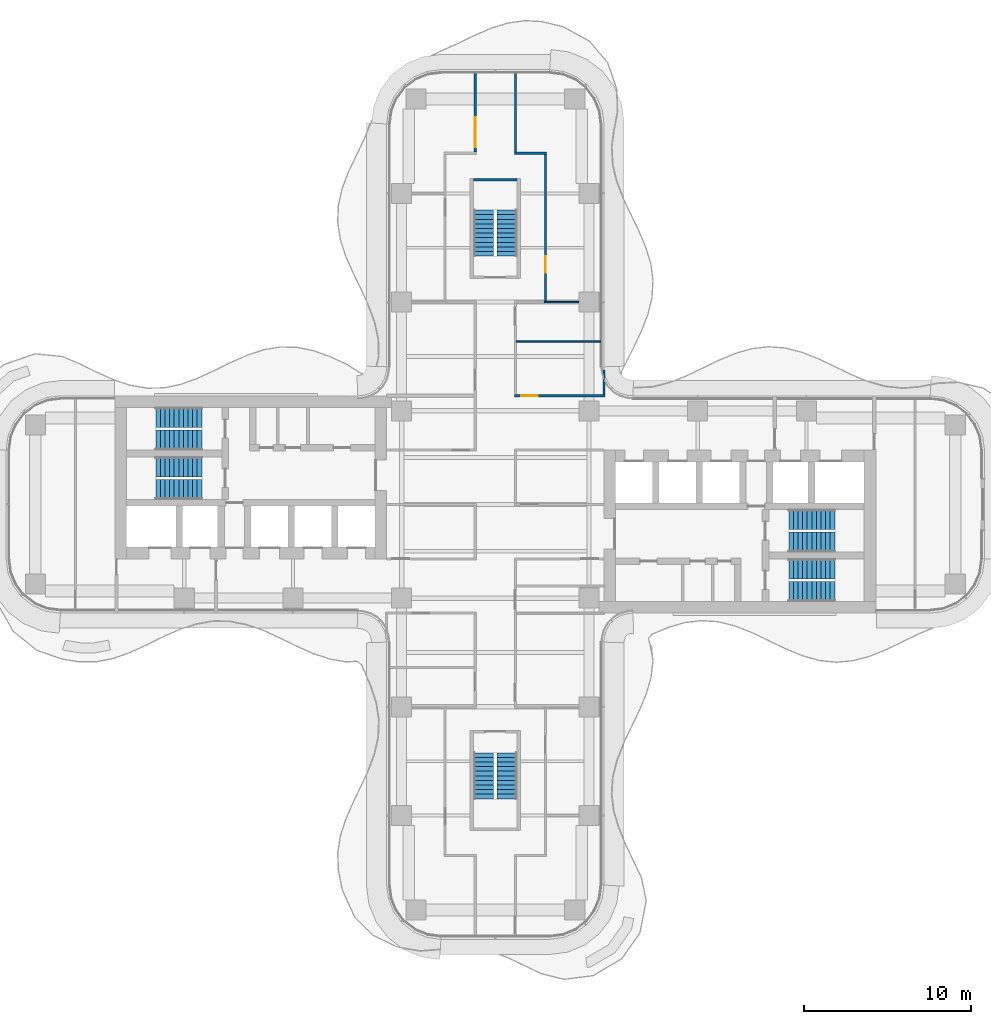
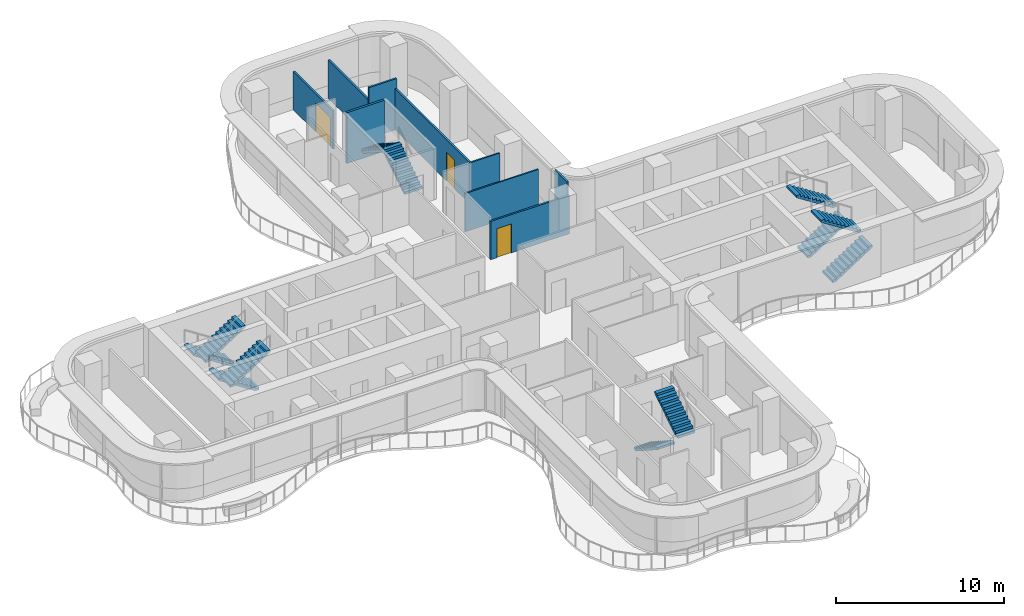
# One storey, part 15 of 17: 12 stair flights, 9 walls, 3 doors, 3 openings, 6 elements without a shape of their own.
"""IFC4 building model written with IfcOpenShell, lengths in metres."""

import ifcopenshell
import ifcopenshell.guid

model = None  # the IFC model being written
_history = None  # IfcOwnerHistory: only IFC2X3 demands one
_inside = {}  # id of a spatial element -> (the spatial element, [elements in it])
_under = {}  # id of a project, library or spatial element -> (it, [spatial elements below it])
_declared = {}  # id of a project -> (the project, [libraries it declares])
_typed = {}  # id of a type object -> (the type object, [elements of that type])
_made_of = {}  # id of a material, layer set ... -> (it, [elements and type objects made of it])


def new_model(schema):
    """Start an empty IFC model of exactly this schema.

    Asked for "IFC4X3", IfcOpenShell would pick the latest addendum, in which some entities
    have other attributes; the version numbers below select the first issue.
    IFC2X3 requires an IfcOwnerHistory on every rooted entity: one is made here for all.
    """
    global model, _history
    if schema == "IFC4X3":
        model = ifcopenshell.file(schema_version=(4, 3, 0, 0))
    else:
        model = ifcopenshell.file(schema=schema)
    _inside.clear()
    _under.clear()
    _declared.clear()
    _typed.clear()
    _made_of.clear()
    _history = None
    if model.schema == "IFC2X3":
        org = make("IfcOrganization", Name="unknown")
        user = make(
            "IfcPersonAndOrganization",
            ThePerson=make("IfcPerson", FamilyName="unknown"),
            TheOrganization=org,
        )
        app = make(
            "IfcApplication",
            ApplicationDeveloper=org,
            Version="unknown",
            ApplicationFullName="unknown",
            ApplicationIdentifier="unknown",
        )
        _history = make(
            "IfcOwnerHistory",
            OwningUser=user,
            OwningApplication=app,
            ChangeAction="ADDED",
            CreationDate=0,
        )
    return model


def make(cls, **values):
    """One entity of the class cls with the attributes given. An attribute that is None is left unset."""
    return model.create_entity(
        cls, **{name: value for name, value in values.items() if value is not None}
    )


def rooted(cls, **values):
    """An entity with a GlobalId (a new one), such as an element, a storey or a relation."""
    return make(cls, GlobalId=ifcopenshell.guid.new(), OwnerHistory=_history, **values)


def si_unit(unit_type, name, prefix=None):
    """IfcSIUnit, for example si_unit("LENGTHUNIT", "METRE", prefix="MILLI")."""
    return make("IfcSIUnit", UnitType=unit_type, Prefix=prefix, Name=name)


def assignment(units):
    """IfcUnitAssignment: the units of a project."""
    return None if units is None else make("IfcUnitAssignment", Units=units)


def point(xyz):
    """IfcCartesianPoint."""
    return None if xyz is None else make("IfcCartesianPoint", Coordinates=xyz)


def direction(xyz):
    """IfcDirection."""
    return None if xyz is None else make("IfcDirection", DirectionRatios=xyz)


def frame(location, z_axis=None, x_axis=None):
    """IfcAxis2Placement3D, a coordinate frame: its origin and axes. An axis left out is left unset."""
    return make(
        "IfcAxis2Placement3D",
        Location=point(location),
        Axis=direction(z_axis),
        RefDirection=direction(x_axis),
    )


def frame_2d(location, x_axis=None):
    """IfcAxis2Placement2D, a coordinate frame in the plane: its origin and x axis."""
    return make(
        "IfcAxis2Placement2D", Location=point(location), RefDirection=direction(x_axis)
    )


def origin():
    """The frame at (0, 0, 0) with its axes left unset."""
    return frame((0.0, 0.0, 0.0))


def place(relative_to, where):
    """IfcLocalPlacement: puts the frame where relative to a parent placement (None: the world)."""
    return make(
        "IfcLocalPlacement", PlacementRelTo=relative_to, RelativePlacement=where
    )


def context(
    kind, dimensions, precision=None, world=None, true_north=None, identifier=None
):
    """IfcGeometricRepresentationContext, for example the 3D "Model" context."""
    return make(
        "IfcGeometricRepresentationContext",
        ContextIdentifier=identifier,
        ContextType=kind,
        CoordinateSpaceDimension=dimensions,
        Precision=precision,
        WorldCoordinateSystem=world,
        TrueNorth=true_north,
    )


def subcontext(parent, identifier, kind, view, scale=None):
    """IfcGeometricRepresentationSubContext, for example "Body" below "Model"."""
    return make(
        "IfcGeometricRepresentationSubContext",
        ContextIdentifier=identifier,
        ContextType=kind,
        ParentContext=parent,
        TargetScale=scale,
        TargetView=view,
    )


def project(units=None, contexts=None):
    """IfcProject with its units and contexts."""
    return rooted(
        "IfcProject",
        Name="project",
        RepresentationContexts=contexts,
        UnitsInContext=assignment(units),
    )


def spatial(cls, under=None, at=None, **own):
    """A site, building, storey or space (cls), placed at a placement, below another one or the project."""
    s = rooted(cls, ObjectPlacement=at, **own)
    if under is not None:
        _under.setdefault(under.id(), (under, []))[1].append(s)
    return s


def polyline(points):
    """IfcPolyline through the points."""
    return make("IfcPolyline", Points=[point(p) for p in points])


def profile(cls, at=None, kind="AREA", **sizes):
    """A parametric profile (cls). Its sizes go by their IFC names, for example OverallWidth=200.0."""
    return make(cls, ProfileType=kind, Position=at, **sizes)


def rectangle(**sizes):
    """IfcRectangleProfileDef."""
    return profile("IfcRectangleProfileDef", **sizes)


def outline(outer, holes=None, kind="AREA"):
    """IfcArbitraryClosedProfileDef: a profile drawn as a closed curve; with holes, ...WithVoids."""
    if holes is None:
        return make("IfcArbitraryClosedProfileDef", ProfileType=kind, OuterCurve=outer)
    return make(
        "IfcArbitraryProfileDefWithVoids",
        ProfileType=kind,
        OuterCurve=outer,
        InnerCurves=holes,
    )


def extrude(swept, where, along, depth):
    """IfcExtrudedAreaSolid: the profile swept, set in the frame where, extruded along a direction by depth."""
    return make(
        "IfcExtrudedAreaSolid",
        SweptArea=swept,
        Position=where,
        ExtrudedDirection=direction(along),
        Depth=depth,
    )


def shape(context_of_items, identifier, shape_type, items):
    """IfcShapeRepresentation: the items that make up one representation, for example the "Body"."""
    return make(
        "IfcShapeRepresentation",
        ContextOfItems=context_of_items,
        RepresentationIdentifier=identifier,
        RepresentationType=shape_type,
        Items=items,
    )


def source(mapping_origin, context_of_items, identifier, shape_type, items):
    """IfcRepresentationMap: a shape defined once, which mapped items show again and again."""
    return make(
        "IfcRepresentationMap",
        MappingOrigin=mapping_origin,
        MappedRepresentation=shape(context_of_items, identifier, shape_type, items),
    )


def transform(
    local_origin,
    x_axis=None,
    y_axis=None,
    z_axis=None,
    scale=None,
    scale2=None,
    scale3=None,
    uniform=True,
):
    """IfcCartesianTransformationOperator3D, or its non-uniform kind. x_axis, y_axis, z_axis: its Axis1, 2, 3."""
    if uniform:
        return make(
            "IfcCartesianTransformationOperator3D",
            Axis1=direction(x_axis),
            Axis2=direction(y_axis),
            LocalOrigin=point(local_origin),
            Scale=scale,
            Axis3=direction(z_axis),
        )
    return make(
        "IfcCartesianTransformationOperator3DnonUniform",
        Axis1=direction(x_axis),
        Axis2=direction(y_axis),
        LocalOrigin=point(local_origin),
        Scale=scale,
        Axis3=direction(z_axis),
        Scale2=scale2,
        Scale3=scale3,
    )


def mapped(mapping_source, mapping_target):
    """IfcMappedItem: shows the shape of a source again, moved by a transform."""
    return make(
        "IfcMappedItem", MappingSource=mapping_source, MappingTarget=mapping_target
    )


def material(Name=None, Category=None):
    """IfcMaterial."""
    return make("IfcMaterial", Name=Name, Category=Category)


def layer(
    of_material, thickness, ventilated=None, Name=None, Category=None, Priority=None
):
    """IfcMaterialLayer: one layer of a wall or slab, of a material (None: an air gap)."""
    return make(
        "IfcMaterialLayer",
        Material=of_material,
        LayerThickness=thickness,
        IsVentilated=ventilated,
        Name=Name,
        Category=Category,
        Priority=Priority,
    )


def layer_set(layers, Name=None):
    """IfcMaterialLayerSet."""
    return make("IfcMaterialLayerSet", MaterialLayers=layers, LayerSetName=Name)


def made_of(thing, what):
    """Note that an element or type object is made of a material, layer set ...; save() writes the relation."""
    if what is not None:
        _made_of.setdefault(what.id(), (what, []))[1].append(thing)
    return thing


def type_object(cls, material=None, **own):
    """A type object (cls), such as IfcWallType, which elements share."""
    return made_of(rooted(cls, **own), material)


def element(
    cls,
    number,
    at=None,
    inside=None,
    cuts=None,
    type_object=None,
    material=None,
    context=None,
    identifier="Body",
    shape_type=None,
    held_by="IfcProductDefinitionShape",
    body=None,
    shapes=None,
    **own,
):
    """One element of the class cls, such as IfcWall. Its Tag is "e" and its number.

    at: its placement. inside: the storey or other place that contains it. cuts: it is an
    opening in that element (IfcRelVoidsElement). A single representation is given by context,
    identifier, shape_type and body (its items); several are given by shapes. held_by: the class
    of the entity that holds the representations. save() writes the other relations.
    """
    e = rooted(cls, Tag="e%d" % number, ObjectPlacement=at, **own)
    if body is not None:
        shapes = [shape(context, identifier, shape_type, body)]
    if shapes is not None:
        e.Representation = make(held_by, Representations=shapes)
    if inside is not None:
        _inside.setdefault(inside.id(), (inside, []))[1].append(e)
    if cuts is not None:
        rooted(
            "IfcRelVoidsElement", RelatingBuildingElement=cuts, RelatedOpeningElement=e
        )
    if type_object is not None:
        _typed.setdefault(type_object.id(), (type_object, []))[1].append(e)
    return made_of(e, material)


def fill(opening, filler):
    """IfcRelFillsElement: the door or window that sits in an opening."""
    return rooted(
        "IfcRelFillsElement",
        RelatingOpeningElement=opening,
        RelatedBuildingElement=filler,
    )


def aggregate(whole, parts):
    """IfcRelAggregates: a whole, such as a stair, and the parts it consists of."""
    return rooted("IfcRelAggregates", RelatingObject=whole, RelatedObjects=parts)


def save(model, path):
    """Write the relations noted so far, then the file.

    IfcRelAggregates (storeys below a building ...), IfcRelContainedInSpatialStructure (elements
    in a storey), IfcRelDefinesByType, IfcRelAssociatesMaterial and IfcRelDeclares: one each for
    every whole, place, type object, material and project.
    """
    for whole, parts in _under.values():
        aggregate(whole, parts)
    for where, things in _inside.values():
        rooted(
            "IfcRelContainedInSpatialStructure",
            RelatedElements=things,
            RelatingStructure=where,
        )
    for kind, things in _typed.values():
        rooted("IfcRelDefinesByType", RelatedObjects=things, RelatingType=kind)
    for what, things in _made_of.values():
        rooted("IfcRelAssociatesMaterial", RelatedObjects=things, RelatingMaterial=what)
    for by, libraries in _declared.values():
        rooted("IfcRelDeclares", RelatingContext=by, RelatedDefinitions=libraries)
    model.write(path)


model = new_model("IFC4")

# Units and contexts
model_context = context("Model", 3, precision=1e-05, world=origin(), true_north=direction((0.0, 1.0)))
body_context = subcontext(model_context, "Body", "Model", "MODEL_VIEW")
ifc_project = project(units=[si_unit("LENGTHUNIT", "METRE"), si_unit("AREAUNIT", "SQUARE_METRE"), si_unit("VOLUMEUNIT", "CUBIC_METRE"), si_unit("PLANEANGLEUNIT", "RADIAN"), si_unit("MASSUNIT", "GRAM", prefix="KILO")], contexts=[model_context])

# Site, building, storey
site_placement = place(None, origin())
site = spatial("IfcSite", under=ifc_project, at=site_placement, CompositionType="ELEMENT")
building_placement = place(site_placement, origin())
building = spatial("IfcBuilding", under=site, at=building_placement, Name="Trellis Farm Tower", CompositionType="ELEMENT")
storey_placement = place(building_placement, frame((0.0, 0.0, 181.5)))
storey = spatial("IfcBuildingStorey", under=building, at=storey_placement, Name="L39", CompositionType="ELEMENT", Elevation=181.5)

# Walls
ifc_material_1 = material(Name="Concrete C70/85", Category="concrete")
ifc_layer_1 = layer(ifc_material_1, 0.14990234375)
ifc_layer_set_1 = layer_set([ifc_layer_1], Name="CORE STAIR ENCLOSURE WALL 150 CONCRETE C70/85")
wall_type_1 = type_object("IfcWallType", Name="CORE STAIR ENCLOSURE WALL 150 CONCRETE C70/85", PredefinedType="SHEAR", material=ifc_layer_set_1)
shared_shape_1 = source(origin(), body_context, "Body", "SweptSolid", [
    extrude(rectangle(XDim=2.60009765625, YDim=0.14990234375, at=frame_2d((1.300048828125, 0.0))), origin(), (0.0, 0.0, 1.0), 3.699951171875),
])
wall_1_placement = place(storey_placement, frame((-1.300048828125, 19.425048828125, 0.0), z_axis=(0.0, 0.0, 1.0), x_axis=(1.0, 0.0, 0.0)))
element("IfcWall", 1, at=wall_1_placement, inside=storey, type_object=wall_type_1, Name="Stair enclosure wall", PredefinedType="SHEAR", context=body_context, shape_type="MappedRepresentation", body=[
    mapped(shared_shape_1, transform((0.0, 0.0, 0.0))),
])
ifc_material_2 = material(Name="Plasterboard on steel studs, mineral wool", Category="steel")
ifc_layer_2 = layer(ifc_material_2, 0.125)
ifc_layer_set_2 = layer_set([ifc_layer_2], Name="PARTITION 125 STUD EI 60")
wall_type_2 = type_object("IfcWallType", Name="PARTITION 125 STUD EI 60", PredefinedType="PARTITIONING", material=ifc_layer_set_2)
shared_shape_2 = source(origin(), body_context, "Body", "SweptSolid", [
    extrude(rectangle(XDim=1.468994140625, YDim=0.125, at=frame_2d((0.734375, 0.0))), origin(), (0.0, 0.0, 1.0), 3.699951171875),
])
wall_2_placement = place(storey_placement, frame((6.5, 6.5625, 0.0), z_axis=(0.0, 0.0, 1.0), x_axis=(0.0, 1.0, 0.0)))
element("IfcWall", 2, at=wall_2_placement, inside=storey, type_object=wall_type_2, Name="Partition PW1", PredefinedType="PARTITIONING", context=body_context, shape_type="MappedRepresentation", body=[
    mapped(shared_shape_2, transform((0.0, 0.0, 0.0))),
])
ifc_material_3 = material(Name="Plasterboard on steel studs", Category="steel")
ifc_layer_3 = layer(ifc_material_3, 0.10009765625)
ifc_layer_set_3 = layer_set([ifc_layer_3], Name="PARTITION 100 STUD EI 30")
wall_type_3 = type_object("IfcWallType", Name="PARTITION 100 STUD EI 30", PredefinedType="PARTITIONING", material=ifc_layer_set_3)
shared_shape_3 = source(origin(), body_context, "Body", "SweptSolid", [
    extrude(rectangle(XDim=2.0625, YDim=0.10009765625, at=frame_2d((1.03125, 0.0))), origin(), (0.0, 0.0, 1.0), 2.99658203125),
])
wall_3_placement = place(storey_placement, frame((2.9375, 12.10009765625, 0.0), z_axis=(0.0, 0.0, 1.0), x_axis=(1.0, 0.0, 0.0)))
element("IfcWall", 3, at=wall_3_placement, inside=storey, type_object=wall_type_3, Name="Partition PW2", PredefinedType="PARTITIONING", context=body_context, shape_type="MappedRepresentation", body=[
    mapped(shared_shape_3, transform((0.0, 0.0, 0.0))),
])

# Wall, opening, door
shared_shape_4 = source(origin(), body_context, "Body", "SweptSolid", [
    extrude(rectangle(XDim=4.737548828125, YDim=0.125, at=frame_2d((2.36865234375, 0.0))), origin(), (0.0, 0.0, 1.0), 2.780029296875),
])
wall_4_placement = place(storey_placement, frame((-1.199951171875, 25.800048828125, 0.0), z_axis=(0.0, 0.0, 1.0), x_axis=(0.0, -1.0, 0.0)))
wall_4 = element("IfcWall", 4, at=wall_4_placement, inside=storey, type_object=wall_type_2, Name="Partition PW1", PredefinedType="PARTITIONING", context=body_context, shape_type="MappedRepresentation", body=[
    mapped(shared_shape_4, transform((0.0, 0.0, 0.0))),
])
shared_shape_5 = source(origin(), body_context, "Body", "SweptSolid", [
    extrude(rectangle(XDim=1.800048828125, YDim=2.10009765625, at=frame_2d((0.89990234375, 1.050048828125))), frame((0.0, 0.072509765625, 0.0), z_axis=(0.0, -1.0, 0.0), x_axis=(1.0, 0.0, 0.0)), (0.0, 0.0, 1.0), 0.14501953125),
])
opening_1_placement = place(wall_4_placement, frame((2.64990234375, 0.0, 0.0)))
opening_1 = element("IfcOpeningElement", 5, at=opening_1_placement, cuts=wall_4, Name="Opening D201", PredefinedType="OPENING", context=body_context, shape_type="MappedRepresentation", body=[
    mapped(shared_shape_5, transform((0.0, 0.0, 0.0))),
])
ifc_material_4 = material(Name="Fire-rated timber door leaf in a hollow metal frame", Category="wood")
door_type_1 = type_object("IfcDoorType", Name="DOOR PAIR 1800x2100 FD30S", OperationType="NOTDEFINED", PredefinedType="DOOR", material=ifc_material_4)
shared_shape_6 = source(origin(), body_context, "Body", "SweptSolid", [
    extrude(rectangle(XDim=1.800048828125, YDim=2.10009765625, at=frame_2d((0.89990234375, 1.050048828125))), frame((0.0, 0.02490234375, 0.0), z_axis=(0.0, -1.0, 0.0), x_axis=(1.0, 0.0, 0.0)), (0.0, 0.0, 1.0), 0.050048828125),
])
door_1_placement = place(opening_1_placement, origin())
door_1 = element("IfcDoor", 6, at=door_1_placement, inside=storey, type_object=door_type_1, Name="Door D201", OperationType="DOUBLE_DOOR_SINGLE_SWING", OverallHeight=2.10009765625, OverallWidth=1.800048828125, PredefinedType="DOOR", context=body_context, shape_type="MappedRepresentation", body=[
    mapped(shared_shape_6, transform((0.0, 0.0, 0.0))),
])
fill(opening_1, door_1)

# Wall
wall_5_placement = place(storey_placement, frame((1.199951171875, 25.800048828125, 0.0), z_axis=(0.0, 0.0, 1.0), x_axis=(0.0, -1.0, 0.0)))
element("IfcWall", 7, at=wall_5_placement, inside=storey, type_object=wall_type_2, Name="Partition PW1", PredefinedType="PARTITIONING", context=body_context, shape_type="MappedRepresentation", body=[
    mapped(shared_shape_4, transform((0.0, 0.0, 0.0))),
])

# Wall, opening, door
shared_shape_7 = source(origin(), body_context, "Body", "SweptSolid", [
    extrude(rectangle(XDim=8.78759765625, YDim=0.125, at=frame_2d((4.393798828125, 0.0))), origin(), (0.0, 0.0, 1.0), 2.99658203125),
])
wall_6_placement = place(storey_placement, frame((3.0, 20.9375, 0.0), z_axis=(0.0, 0.0, 1.0), x_axis=(0.0, -1.0, 0.0)))
wall_6 = element("IfcWall", 8, at=wall_6_placement, inside=storey, type_object=wall_type_2, Name="Partition PW1", PredefinedType="PARTITIONING", context=body_context, shape_type="MappedRepresentation", body=[
    mapped(shared_shape_7, transform((0.0, 0.0, 0.0))),
])
shared_shape_8 = source(origin(), body_context, "Body", "SweptSolid", [
    extrude(rectangle(XDim=1.0, YDim=2.10009765625, at=frame_2d((0.5, 1.050048828125))), frame((0.0, 0.072509765625, 0.0), z_axis=(0.0, -1.0, 0.0), x_axis=(1.0, 0.0, 0.0)), (0.0, 0.0, 1.0), 0.14501953125),
])
opening_2_placement = place(wall_6_placement, frame((6.08740234375, 0.0, 0.0)))
opening_2 = element("IfcOpeningElement", 9, at=opening_2_placement, cuts=wall_6, Name="Opening D114", PredefinedType="OPENING", context=body_context, shape_type="MappedRepresentation", body=[
    mapped(shared_shape_8, transform((0.0, 0.0, 0.0))),
])
door_type_2 = type_object("IfcDoorType", Name="DOOR 1000x2100 FD30S", OperationType="NOTDEFINED", PredefinedType="DOOR", material=ifc_material_4)
shared_shape_9 = source(origin(), body_context, "Body", "SweptSolid", [
    extrude(rectangle(XDim=1.0, YDim=2.10009765625, at=frame_2d((0.5, 1.050048828125))), frame((0.0, 0.02490234375, 0.0), z_axis=(0.0, -1.0, 0.0), x_axis=(1.0, 0.0, 0.0)), (0.0, 0.0, 1.0), 0.050048828125),
])
door_2_placement = place(opening_2_placement, origin())
door_2 = element("IfcDoor", 10, at=door_2_placement, inside=storey, type_object=door_type_2, Name="Door D114", OperationType="SINGLE_SWING_RIGHT", OverallHeight=2.10009765625, OverallWidth=1.0, PredefinedType="DOOR", context=body_context, shape_type="MappedRepresentation", body=[
    mapped(shared_shape_9, transform((0.0, 0.0, 0.0))),
])
fill(opening_2, door_2)

# Wall
shared_shape_10 = source(origin(), body_context, "Body", "SweptSolid", [
    extrude(rectangle(XDim=1.925048828125, YDim=0.125, at=frame_2d((0.96240234375, 0.0))), origin(), (0.0, 0.0, 1.0), 3.699951171875),
])
wall_7_placement = place(storey_placement, frame((1.137451171875, 21.0, 0.0), z_axis=(0.0, 0.0, 1.0), x_axis=(1.0, 0.0, 0.0)))
element("IfcWall", 11, at=wall_7_placement, inside=storey, type_object=wall_type_2, Name="Partition PW1", PredefinedType="PARTITIONING", context=body_context, shape_type="MappedRepresentation", body=[
    mapped(shared_shape_10, transform((0.0, 0.0, 0.0))),
])

# Wall, opening, door
shared_shape_11 = source(origin(), body_context, "Body", "SweptSolid", [
    extrude(rectangle(XDim=5.425048828125, YDim=0.125, at=frame_2d((2.71240234375, 0.0))), origin(), (0.0, 0.0, 1.0), 2.780029296875),
])
wall_8_placement = place(storey_placement, frame((1.137451171875, 6.5, 0.0), z_axis=(0.0, 0.0, 1.0), x_axis=(1.0, 0.0, 0.0)))
wall_8 = element("IfcWall", 12, at=wall_8_placement, inside=storey, type_object=wall_type_2, Name="Partition PW1", PredefinedType="PARTITIONING", context=body_context, shape_type="MappedRepresentation", body=[
    mapped(shared_shape_11, transform((0.0, 0.0, 0.0))),
])
opening_3_placement = place(wall_8_placement, frame((0.41259765625, 0.0, 0.0)))
opening_3 = element("IfcOpeningElement", 13, at=opening_3_placement, cuts=wall_8, Name="Opening D112", PredefinedType="OPENING", context=body_context, shape_type="MappedRepresentation", body=[
    mapped(shared_shape_8, transform((0.0, 0.0, 0.0))),
])
door_3_placement = place(opening_3_placement, origin())
door_3 = element("IfcDoor", 14, at=door_3_placement, inside=storey, type_object=door_type_2, Name="Door D112", OperationType="SINGLE_SWING_LEFT", OverallHeight=2.10009765625, OverallWidth=1.0, PredefinedType="DOOR", context=body_context, shape_type="MappedRepresentation", body=[
    mapped(shared_shape_9, transform((0.0, 0.0, 0.0))),
])
fill(opening_3, door_3)

# Wall
shared_shape_12 = source(origin(), body_context, "Body", "SweptSolid", [
    extrude(rectangle(XDim=5.03759765625, YDim=0.10009765625, at=frame_2d((2.518798828125, 0.0))), origin(), (0.0, 0.0, 1.0), 2.780029296875),
])
wall_9_placement = place(storey_placement, frame((1.262451171875, 9.75, 0.0), z_axis=(0.0, 0.0, 1.0), x_axis=(1.0, 0.0, 0.0)))
element("IfcWall", 15, at=wall_9_placement, inside=storey, type_object=wall_type_3, Name="Partition PW2", PredefinedType="PARTITIONING", context=body_context, shape_type="MappedRepresentation", body=[
    mapped(shared_shape_12, transform((0.0, 0.0, 0.0))),
])

# Stair, stair flights
ifc_material_5 = material(Name="Concrete C50/60", Category="concrete")
stair_type = type_object("IfcStairType", Name="CORE EXIT STAIR 22 RISERS 177 MM", PredefinedType="HALF_TURN_STAIR", material=ifc_material_5)
placement = place(storey_placement, origin())
stair_1 = element("IfcStair", 16, at=placement, inside=storey, type_object=stair_type, Name="Exit stair N", PredefinedType="HALF_TURN_STAIR")
stair_flight_type = type_object("IfcStairFlightType", Name="STAIR FLIGHT 11 RISERS 177 MM", PredefinedType="STRAIGHT", material=ifc_material_5)
shared_shape_13 = source(origin(), body_context, "Body", "SweptSolid", [
    extrude(outline(polyline([(0.0, 0.0), (0.0, 0.17724609375), (0.27490234375, 0.17724609375), (0.27490234375, 0.3544921875), (0.550048828125, 0.3544921875), (0.550048828125, 0.53173828125), (0.824951171875, 0.53173828125), (0.824951171875, 0.708984375), (1.10009765625, 0.708984375), (1.10009765625, 0.886474609375), (1.375, 0.886474609375), (1.375, 1.063720703125), (1.64990234375, 1.063720703125), (1.64990234375, 1.240966796875), (1.925048828125, 1.240966796875), (1.925048828125, 1.418212890625), (2.199951171875, 1.418212890625), (2.199951171875, 1.595458984375), (2.47509765625, 1.595458984375), (2.47509765625, 1.772705078125), (2.75, 1.772705078125), (2.75, 1.949951171875), (2.75, 1.6181640625), (0.23974609375, 0.0), (0.0, 0.0)])), frame((0.0, 0.60009765625, 0.0), z_axis=(0.0, -1.0, 0.0), x_axis=(1.0, 0.0, 0.0)), (0.0, 0.0, 1.0), 1.199951171875),
])
stair_flight_1_placement = place(storey_placement, frame((0.699951171875, 14.85009765625, 0.0), z_axis=(0.0, 0.0, 1.0), x_axis=(0.0, 1.0, 0.0)))
stair_flight_1 = element("IfcStairFlight", 17, at=stair_flight_1_placement, type_object=stair_flight_type, Name="STN flight 1", NumberOfRisers=11, NumberOfTreads=10, PredefinedType="STRAIGHT", RiserHeight=0.177272727, TreadLength=0.275, context=body_context, shape_type="MappedRepresentation", body=[
    mapped(shared_shape_13, transform((0.0, 0.0, 0.0))),
])
stair_flight_2_placement = place(storey_placement, frame((-0.699951171875, 17.60009765625, 1.949951171875), z_axis=(0.0, 0.0, 1.0), x_axis=(0.0, -1.0, 0.0)))
stair_flight_2 = element("IfcStairFlight", 18, at=stair_flight_2_placement, type_object=stair_flight_type, Name="STN flight 2", NumberOfRisers=11, NumberOfTreads=10, PredefinedType="STRAIGHT", RiserHeight=0.177272727, TreadLength=0.275, context=body_context, shape_type="MappedRepresentation", body=[
    mapped(shared_shape_13, transform((0.0, 0.0, 0.0))),
])
aggregate(stair_1, [stair_flight_1, stair_flight_2])

stair_2 = element("IfcStair", 19, at=placement, inside=storey, type_object=stair_type, Name="Exit stair S", PredefinedType="HALF_TURN_STAIR")
stair_flight_3_placement = place(storey_placement, frame((-0.699951171875, -14.85009765625, 0.0), z_axis=(0.0, 0.0, 1.0), x_axis=(0.0, -1.0, 0.0)))
stair_flight_3 = element("IfcStairFlight", 20, at=stair_flight_3_placement, type_object=stair_flight_type, Name="STS flight 1", NumberOfRisers=11, NumberOfTreads=10, PredefinedType="STRAIGHT", RiserHeight=0.177272727, TreadLength=0.275, context=body_context, shape_type="MappedRepresentation", body=[
    mapped(shared_shape_13, transform((0.0, 0.0, 0.0))),
])
stair_flight_4_placement = place(storey_placement, frame((0.699951171875, -17.60009765625, 1.949951171875), z_axis=(0.0, 0.0, 1.0), x_axis=(0.0, 1.0, 0.0)))
stair_flight_4 = element("IfcStairFlight", 21, at=stair_flight_4_placement, type_object=stair_flight_type, Name="STS flight 2", NumberOfRisers=11, NumberOfTreads=10, PredefinedType="STRAIGHT", RiserHeight=0.177272727, TreadLength=0.275, context=body_context, shape_type="MappedRepresentation", body=[
    mapped(shared_shape_13, transform((0.0, 0.0, 0.0))),
])
aggregate(stair_2, [stair_flight_3, stair_flight_4])

stair_3 = element("IfcStair", 22, at=placement, inside=storey, type_object=stair_type, Name="Exit stair E1", PredefinedType="HALF_TURN_STAIR")
stair_flight_5_placement = place(storey_placement, frame((17.550048828125, -5.199951171875, 0.0), z_axis=(0.0, 0.0, 1.0), x_axis=(1.0, 0.0, 0.0)))
stair_flight_5 = element("IfcStairFlight", 23, at=stair_flight_5_placement, type_object=stair_flight_type, Name="STE1 flight 1", NumberOfRisers=11, NumberOfTreads=10, PredefinedType="STRAIGHT", RiserHeight=0.177272727, TreadLength=0.275, context=body_context, shape_type="MappedRepresentation", body=[
    mapped(shared_shape_13, transform((0.0, 0.0, 0.0))),
])
stair_flight_6_placement = place(storey_placement, frame((20.300048828125, -3.85009765625, 1.949951171875), z_axis=(0.0, 0.0, 1.0), x_axis=(-1.0, 0.0, 0.0)))
stair_flight_6 = element("IfcStairFlight", 24, at=stair_flight_6_placement, type_object=stair_flight_type, Name="STE1 flight 2", NumberOfRisers=11, NumberOfTreads=10, PredefinedType="STRAIGHT", RiserHeight=0.177272727, TreadLength=0.275, context=body_context, shape_type="MappedRepresentation", body=[
    mapped(shared_shape_13, transform((0.0, 0.0, 0.0))),
])
aggregate(stair_3, [stair_flight_5, stair_flight_6])

stair_4 = element("IfcStair", 25, at=placement, inside=storey, type_object=stair_type, Name="Exit stair E2", PredefinedType="HALF_TURN_STAIR")
stair_flight_7_placement = place(storey_placement, frame((17.550048828125, -2.25, 0.0), z_axis=(0.0, 0.0, 1.0), x_axis=(1.0, 0.0, 0.0)))
stair_flight_7 = element("IfcStairFlight", 26, at=stair_flight_7_placement, type_object=stair_flight_type, Name="STE2 flight 1", NumberOfRisers=11, NumberOfTreads=10, PredefinedType="STRAIGHT", RiserHeight=0.177272727, TreadLength=0.275, context=body_context, shape_type="MappedRepresentation", body=[
    mapped(shared_shape_13, transform((0.0, 0.0, 0.0))),
])
stair_flight_8_placement = place(storey_placement, frame((20.300048828125, -0.89990234375, 1.949951171875), z_axis=(0.0, 0.0, 1.0), x_axis=(-1.0, 0.0, 0.0)))
stair_flight_8 = element("IfcStairFlight", 27, at=stair_flight_8_placement, type_object=stair_flight_type, Name="STE2 flight 2", NumberOfRisers=11, NumberOfTreads=10, PredefinedType="STRAIGHT", RiserHeight=0.177272727, TreadLength=0.275, context=body_context, shape_type="MappedRepresentation", body=[
    mapped(shared_shape_13, transform((0.0, 0.0, 0.0))),
])
aggregate(stair_4, [stair_flight_7, stair_flight_8])

stair_5 = element("IfcStair", 28, at=placement, inside=storey, type_object=stair_type, Name="Exit stair W1", PredefinedType="HALF_TURN_STAIR")
stair_flight_9_placement = place(storey_placement, frame((-17.550048828125, 5.199951171875, 0.0), z_axis=(0.0, 0.0, 1.0), x_axis=(-1.0, 0.0, 0.0)))
stair_flight_9 = element("IfcStairFlight", 29, at=stair_flight_9_placement, type_object=stair_flight_type, Name="STW1 flight 1", NumberOfRisers=11, NumberOfTreads=10, PredefinedType="STRAIGHT", RiserHeight=0.177272727, TreadLength=0.275, context=body_context, shape_type="MappedRepresentation", body=[
    mapped(shared_shape_13, transform((0.0, 0.0, 0.0))),
])
stair_flight_10_placement = place(storey_placement, frame((-20.300048828125, 3.85009765625, 1.949951171875), z_axis=(0.0, 0.0, 1.0), x_axis=(1.0, 0.0, 0.0)))
stair_flight_10 = element("IfcStairFlight", 30, at=stair_flight_10_placement, type_object=stair_flight_type, Name="STW1 flight 2", NumberOfRisers=11, NumberOfTreads=10, PredefinedType="STRAIGHT", RiserHeight=0.177272727, TreadLength=0.275, context=body_context, shape_type="MappedRepresentation", body=[
    mapped(shared_shape_13, transform((0.0, 0.0, 0.0))),
])
aggregate(stair_5, [stair_flight_9, stair_flight_10])

stair_6 = element("IfcStair", 31, at=placement, inside=storey, type_object=stair_type, Name="Exit stair W2", PredefinedType="HALF_TURN_STAIR")
stair_flight_11_placement = place(storey_placement, frame((-17.550048828125, 2.25, 0.0), z_axis=(0.0, 0.0, 1.0), x_axis=(-1.0, 0.0, 0.0)))
stair_flight_11 = element("IfcStairFlight", 32, at=stair_flight_11_placement, type_object=stair_flight_type, Name="STW2 flight 1", NumberOfRisers=11, NumberOfTreads=10, PredefinedType="STRAIGHT", RiserHeight=0.177272727, TreadLength=0.275, context=body_context, shape_type="MappedRepresentation", body=[
    mapped(shared_shape_13, transform((0.0, 0.0, 0.0))),
])
stair_flight_12_placement = place(storey_placement, frame((-20.300048828125, 0.89990234375, 1.949951171875), z_axis=(0.0, 0.0, 1.0), x_axis=(1.0, 0.0, 0.0)))
stair_flight_12 = element("IfcStairFlight", 33, at=stair_flight_12_placement, type_object=stair_flight_type, Name="STW2 flight 2", NumberOfRisers=11, NumberOfTreads=10, PredefinedType="STRAIGHT", RiserHeight=0.177272727, TreadLength=0.275, context=body_context, shape_type="MappedRepresentation", body=[
    mapped(shared_shape_13, transform((0.0, 0.0, 0.0))),
])
aggregate(stair_6, [stair_flight_11, stair_flight_12])

save(model, "model.ifc")
